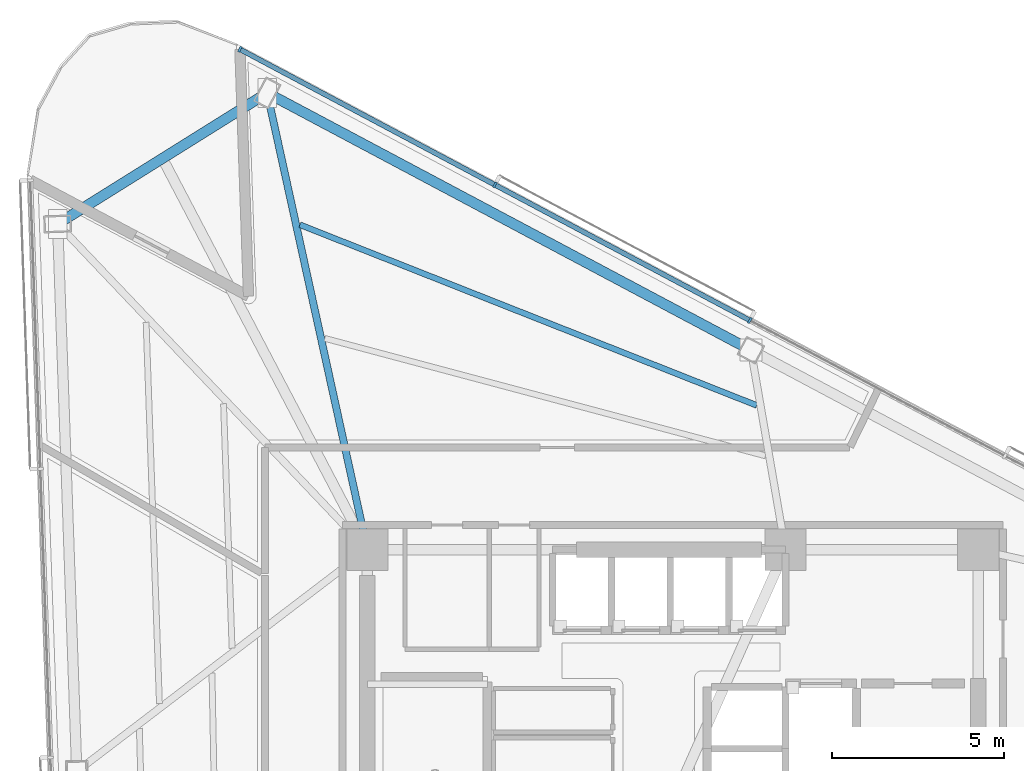
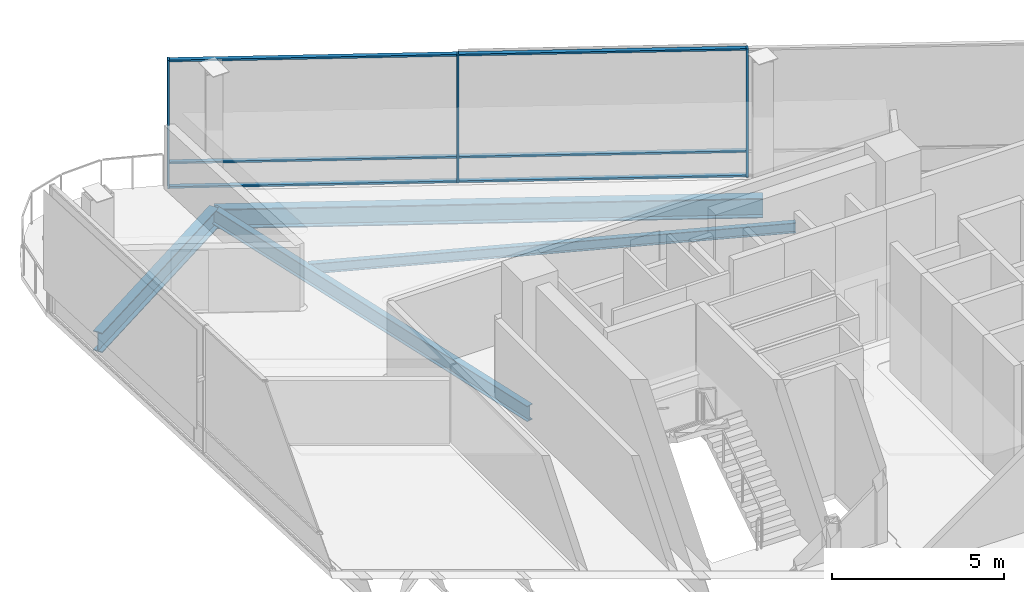
# One storey, part 9 of 19: 9 members, 4 beams, 1 element without a shape of its own.
"""IFC4 building model written with IfcOpenShell, lengths in metres."""

from ifc_helpers import new_model, si_unit, direction, frame, origin, origin_2d, place, context, subcontext, project, spatial, rectangle, i_section, extrude, material, layer, layer_set, material_profile, profile_set, type_object, element, aggregate, save


model = new_model("IFC4")

# Units and contexts
model_context = context("Model", 3, precision=1e-05, world=origin(), true_north=direction((0.0, 1.0)))
body_context = subcontext(model_context, "Body", "Model", "MODEL_VIEW")
ifc_project = project(units=[si_unit("LENGTHUNIT", "METRE"), si_unit("AREAUNIT", "SQUARE_METRE"), si_unit("VOLUMEUNIT", "CUBIC_METRE"), si_unit("PLANEANGLEUNIT", "RADIAN"), si_unit("MASSUNIT", "GRAM", prefix="KILO")], contexts=[model_context])

# Site, building, storey
site_placement = place(None, origin())
site = spatial("IfcSite", under=ifc_project, at=site_placement, CompositionType="ELEMENT")
building_placement = place(site_placement, origin())
building = spatial("IfcBuilding", under=site, at=building_placement, Name="Tharavind Bronze Gate", CompositionType="ELEMENT")
storey_placement = place(building_placement, frame((0.0, 0.0, 160.39990234375)))
storey = spatial("IfcBuildingStorey", under=building, at=storey_placement, Name="L41", CompositionType="ELEMENT", Elevation=160.39990234375)

# Curtain wall, members
ifc_material_1 = material(Name="Anodised Bronze Aluminium", Category="aluminium")
ifc_layer = layer(ifc_material_1, 0.219970703125)
ifc_layer_set = layer_set([ifc_layer], Name="Anodised Bronze Aluminium")
curtain_wall_type = type_object("IfcCurtainWallType", Name="UNITISED CURTAIN WALL MID OFFICE", PredefinedType="USERDEFINED", material=ifc_layer_set)
curtain_wall_placement = place(storey_placement, origin())
curtain_wall = element("IfcCurtainWall", 1, at=curtain_wall_placement, inside=storey, type_object=curtain_wall_type, Name="L41 unitised curtain wall mid office CW-L41-S3", ObjectType="UNITISED CURTAIN WALL", PredefinedType="USERDEFINED")
member_type_1 = type_object("IfcMemberType", Name="CURTAIN WALL BRONZE MULLION 65X180", PredefinedType="MULLION", material=ifc_material_1)
member_1_placement = place(storey_placement, frame((2.245361328125, 14.279052734375, 0.0), z_axis=(0.0, 0.0, 1.0), x_axis=(-0.882947592859, 0.469471562786, 0.0)))
member_1 = element("IfcMember", 2, at=member_1_placement, type_object=member_type_1, Name="CW-L41-S3 mullion 5", PredefinedType="MULLION", context=body_context, shape_type="SweptSolid", body=[
    extrude(rectangle(XDim=0.06494140625, YDim=0.179931640625, at=origin_2d()), origin(), (0.0, 0.0, 1.0), 4.554931640625),
])
member_2_placement = place(storey_placement, frame((-5.184326171875, 18.2294921875, 0.0), z_axis=(0.0, 0.0, 1.0), x_axis=(-0.882947592859, 0.469471562786, 0.0)))
member_2 = element("IfcMember", 3, at=member_2_placement, type_object=member_type_1, Name="CW-L41-S3 mullion 6", PredefinedType="MULLION", context=body_context, shape_type="SweptSolid", body=[
    extrude(rectangle(XDim=0.06494140625, YDim=0.179931640625, at=origin_2d()), origin(), (0.0, 0.0, 1.0), 4.554931640625),
])
member_3_placement = place(storey_placement, frame((-12.614013671875, 22.179931640625, 0.0), z_axis=(0.0, 0.0, 1.0), x_axis=(-0.882947592859, 0.469471562786, 0.0)))
member_3 = element("IfcMember", 4, at=member_3_placement, type_object=member_type_1, Name="CW-L41-S3 mullion 7", PredefinedType="MULLION", context=body_context, shape_type="SweptSolid", body=[
    extrude(rectangle(XDim=0.06494140625, YDim=0.179931640625, at=origin_2d()), origin(), (0.0, 0.0, 1.0), 4.554931640625),
])
member_type_2 = type_object("IfcMemberType", Name="CURTAIN WALL BRONZE TRANSOM 65X140", PredefinedType="USERDEFINED", material=ifc_material_1)
member_4_placement = place(storey_placement, frame((-1.469482421875, 16.25439453125, 0.000244140625), z_axis=(0.0, 0.0, 1.0), x_axis=(-0.882947592859, 0.469471562786, 0.0)))
member_4 = element("IfcMember", 5, at=member_4_placement, type_object=member_type_2, Name="CW-L41-S3 transom TB5", ObjectType="TRANSOM", PredefinedType="USERDEFINED", context=body_context, shape_type="SweptSolid", body=[
    extrude(rectangle(XDim=8.361572265625, YDim=0.139892578125, at=origin_2d()), origin(), (0.0, 0.0, 1.0), 0.06494140625),
])
member_5_placement = place(storey_placement, frame((-1.469482421875, 16.25439453125, 0.86767578125), z_axis=(0.0, 0.0, 1.0), x_axis=(-0.882947592859, 0.469471562786, 0.0)))
member_5 = element("IfcMember", 6, at=member_5_placement, type_object=member_type_2, Name="CW-L41-S3 transom TS5", ObjectType="TRANSOM", PredefinedType="USERDEFINED", context=body_context, shape_type="SweptSolid", body=[
    extrude(rectangle(XDim=8.361572265625, YDim=0.139892578125, at=origin_2d()), origin(), (0.0, 0.0, 1.0), 0.06494140625),
])
member_6_placement = place(storey_placement, frame((-1.469482421875, 16.25439453125, 4.490234375), z_axis=(0.0, 0.0, 1.0), x_axis=(-0.882947592859, 0.469471562786, 0.0)))
member_6 = element("IfcMember", 7, at=member_6_placement, type_object=member_type_2, Name="CW-L41-S3 transom TT5", ObjectType="TRANSOM", PredefinedType="USERDEFINED", context=body_context, shape_type="SweptSolid", body=[
    extrude(rectangle(XDim=8.361572265625, YDim=0.139892578125, at=origin_2d()), origin(), (0.0, 0.0, 1.0), 0.06494140625),
])
member_7_placement = place(storey_placement, frame((-8.899169921875, 20.20458984375, 0.000244140625), z_axis=(0.0, 0.0, 1.0), x_axis=(-0.882947592859, 0.469471562786, 0.0)))
member_7 = element("IfcMember", 8, at=member_7_placement, type_object=member_type_2, Name="CW-L41-S3 transom TB6", ObjectType="TRANSOM", PredefinedType="USERDEFINED", context=body_context, shape_type="SweptSolid", body=[
    extrude(rectangle(XDim=8.361572265625, YDim=0.139892578125, at=origin_2d()), origin(), (0.0, 0.0, 1.0), 0.06494140625),
])
member_8_placement = place(storey_placement, frame((-8.899169921875, 20.20458984375, 0.86767578125), z_axis=(0.0, 0.0, 1.0), x_axis=(-0.882947592859, 0.469471562786, 0.0)))
member_8 = element("IfcMember", 9, at=member_8_placement, type_object=member_type_2, Name="CW-L41-S3 transom TS6", ObjectType="TRANSOM", PredefinedType="USERDEFINED", context=body_context, shape_type="SweptSolid", body=[
    extrude(rectangle(XDim=8.361572265625, YDim=0.139892578125, at=origin_2d()), origin(), (0.0, 0.0, 1.0), 0.06494140625),
])
member_9_placement = place(storey_placement, frame((-8.899169921875, 20.20458984375, 4.490234375), z_axis=(0.0, 0.0, 1.0), x_axis=(-0.882947592859, 0.469471562786, 0.0)))
member_9 = element("IfcMember", 10, at=member_9_placement, type_object=member_type_2, Name="CW-L41-S3 transom TT6", ObjectType="TRANSOM", PredefinedType="USERDEFINED", context=body_context, shape_type="SweptSolid", body=[
    extrude(rectangle(XDim=8.361572265625, YDim=0.139892578125, at=origin_2d()), origin(), (0.0, 0.0, 1.0), 0.06494140625),
])
aggregate(curtain_wall, [member_1, member_2, member_3, member_4, member_5, member_6, member_7, member_8, member_9])

# Beams
ifc_material_2 = material(Name="Steel S355", Category="steel")
ifc_material_profile_1 = material_profile(ifc_material_2, i_section(OverallWidth=0.2099609375, OverallDepth=0.550048828125, WebThickness=0.010986328125, FlangeThickness=0.01708984375, at=origin_2d()), Name="IPE550")
ifc_profile_set_1 = profile_set([ifc_material_profile_1], Name="Steel S355")
beam_type_1 = type_object("IfcBeamType", Name="PRIMARY GIRDER IPE550", PredefinedType="USERDEFINED", material=ifc_profile_set_1)
beam_1_placement = place(storey_placement, frame((-11.819091796875, 20.90771484375, -0.46484375), z_axis=(0.21426760531, -0.976774996258, 0.0), x_axis=(0.976774996258, 0.21426760531, 0.0)))
element("IfcBeam", 11, at=beam_1_placement, inside=storey, type_object=beam_type_1, Name="L41 primary girder ipe550 BM-L41-RAD12", ObjectType="GIRDER", PredefinedType="USERDEFINED", context=body_context, shape_type="SweptSolid", body=[
    extrude(i_section(OverallWidth=0.2099609375, OverallDepth=0.550048828125, WebThickness=0.010986328125, FlangeThickness=0.01708984375, at=origin_2d()), origin(), (0.0, 0.0, 1.0), 13.6240234375),
])
ifc_material_profile_2 = material_profile(ifc_material_2, i_section(OverallWidth=0.300048828125, OverallDepth=0.699951171875, WebThickness=0.01708984375, FlangeThickness=0.031982421875, at=origin_2d()), Name="HE700B")
ifc_profile_set_2 = profile_set([ifc_material_profile_2], Name="Steel S355")
beam_type_2 = type_object("IfcBeamType", Name="RING GIRDER HE700B", PredefinedType="USERDEFINED", material=ifc_profile_set_2)
beam_2_placement = place(storey_placement, frame((2.275634765625, 13.41357421875, -0.539794921875), z_axis=(-0.882951706672, 0.469463825747, 0.0), x_axis=(-0.469463825747, -0.882951706672, 0.0)))
element("IfcBeam", 12, at=beam_2_placement, inside=storey, type_object=beam_type_2, Name="L41 ring girder he700b BM-L41-PRG11", ObjectType="GIRDER", PredefinedType="USERDEFINED", context=body_context, shape_type="SweptSolid", body=[
    extrude(i_section(OverallWidth=0.300048828125, OverallDepth=0.699951171875, WebThickness=0.01708984375, FlangeThickness=0.031982421875, at=origin_2d()), origin(), (0.0, 0.0, 1.0), 15.963134765625),
])
beam_3_placement = place(storey_placement, frame((-11.819091796875, 20.90771484375, -0.539794921875), z_axis=(-0.848038306973, -0.52993492988, 0.0), x_axis=(0.52993492988, -0.848038306973, 0.0)))
element("IfcBeam", 13, at=beam_3_placement, inside=storey, type_object=beam_type_2, Name="L41 ring girder he700b BM-L41-PRG12", ObjectType="GIRDER", PredefinedType="USERDEFINED", context=body_context, shape_type="SweptSolid", body=[
    extrude(i_section(OverallWidth=0.300048828125, OverallDepth=0.699951171875, WebThickness=0.01708984375, FlangeThickness=0.031982421875, at=origin_2d()), origin(), (0.0, 0.0, 1.0), 7.19970703125),
])
ifc_material_profile_3 = material_profile(ifc_material_2, i_section(OverallWidth=0.169921875, OverallDepth=0.360107421875, WebThickness=0.008056640625, FlangeThickness=0.0126953125, at=origin_2d()), Name="IPE360")
ifc_profile_set_3 = profile_set([ifc_material_profile_3], Name="Steel S355")
beam_type_3 = type_object("IfcBeamType", Name="SECONDARY FLOOR JOIST IPE360", PredefinedType="JOIST", material=ifc_profile_set_3)
beam_4_placement = place(storey_placement, frame((2.44384765625, 11.803466796875, -0.369873046875), z_axis=(-0.929918939499, 0.367764552344, 0.0), x_axis=(-0.367764552344, -0.929918939499, 0.0)))
element("IfcBeam", 14, at=beam_4_placement, inside=storey, type_object=beam_type_3, Name="L41 secondary floor joist ipe360 BM-L41-JSTB11", PredefinedType="JOIST", context=body_context, shape_type="SweptSolid", body=[
    extrude(i_section(OverallWidth=0.169921875, OverallDepth=0.360107421875, WebThickness=0.008056640625, FlangeThickness=0.0126953125, at=origin_2d()), origin(), (0.0, 0.0, 1.0), 14.3125),
])

save(model, "model.ifc")
